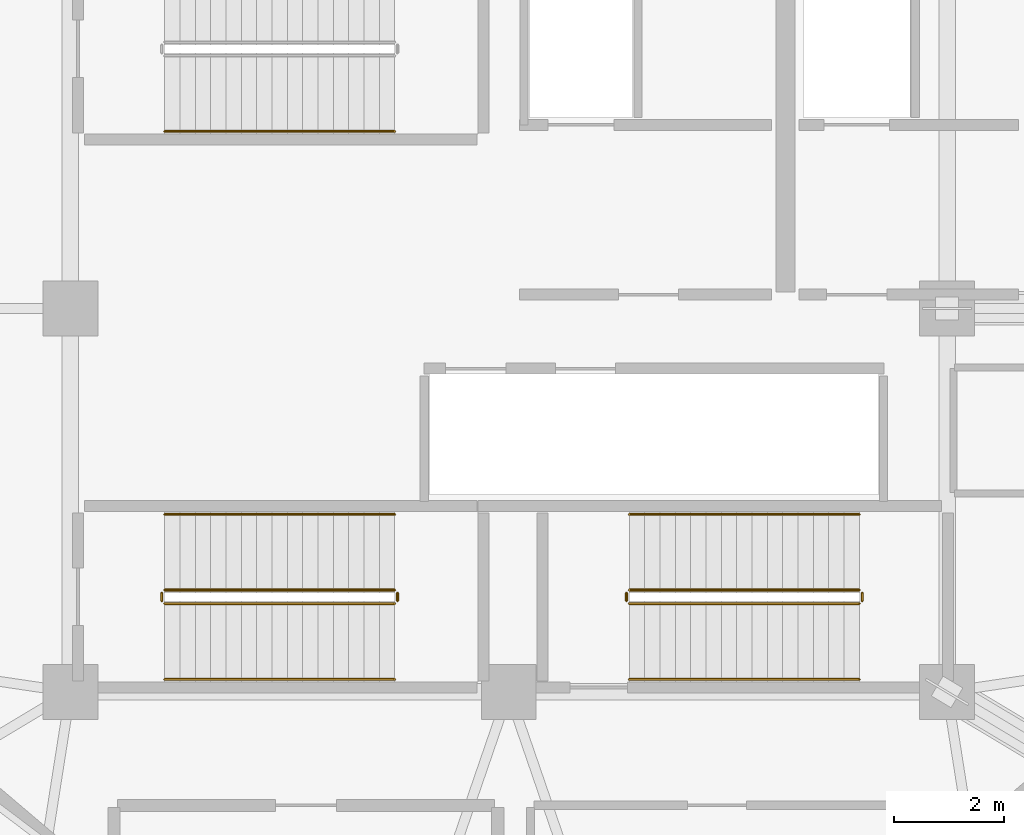
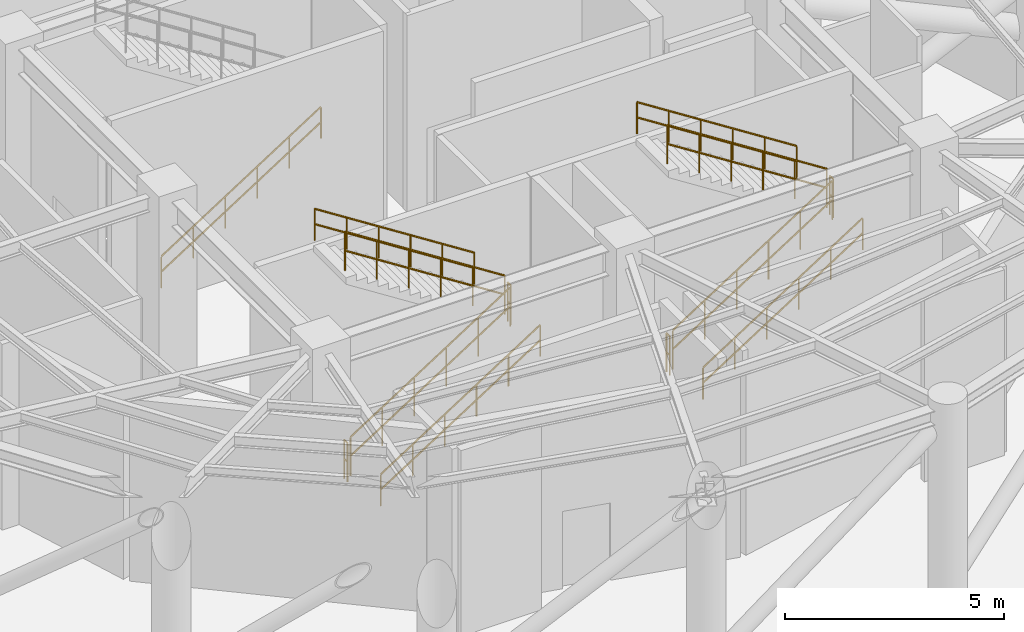
# One storey, part 6 of 8: 13 railings.
"""IFC4 building model written with IfcOpenShell, lengths in metres."""

from ifc_helpers import new_model, si_unit, direction, frame, origin, place, context, subcontext, project, spatial, polyline, outline, extrude, material, type_object, element, save


model = new_model("IFC4")

# Units and contexts
model_context = context("Model", 3, precision=1e-05, world=origin(), true_north=direction((0.0, 1.0)))
body_context = subcontext(model_context, "Body", "Model", "MODEL_VIEW")
ifc_project = project(units=[si_unit("LENGTHUNIT", "METRE"), si_unit("AREAUNIT", "SQUARE_METRE"), si_unit("VOLUMEUNIT", "CUBIC_METRE"), si_unit("PLANEANGLEUNIT", "RADIAN"), si_unit("MASSUNIT", "GRAM", prefix="KILO")], contexts=[model_context])

# Site, building, storey
site_placement = place(None, origin())
site = spatial("IfcSite", under=ifc_project, at=site_placement, CompositionType="ELEMENT")
building_placement = place(site_placement, origin())
building = spatial("IfcBuilding", under=site, at=building_placement, Name="Kelanora Arch Commons", CompositionType="ELEMENT")
storey_placement = place(building_placement, frame((0.0, 0.0, 242.9599609375)))
storey = spatial("IfcBuildingStorey", under=building, at=storey_placement, Name="L62", CompositionType="ELEMENT", Elevation=242.9599609375)

# Railings
ifc_material_1 = material(Name="Painted steel stair well guard", Category="steel")
railing_type_1 = type_object("IfcRailingType", Name="RAIL-STAIR-GRD", PredefinedType="GUARDRAIL", material=ifc_material_1)
railing_1_placement = place(storey_placement, frame((76.199951171875, 52.610107421875, 0.179443359375)))
element("IfcRailing", 1, at=railing_1_placement, inside=storey, type_object=railing_type_1, Name="L62 ST-T2 stair guard 1", PredefinedType="GUARDRAIL", context=body_context, shape_type="SweptSolid", body=[
    extrude(outline(polyline([(0.02392578125, 0.0), (0.011962890625, 0.020751953125), (-0.011962890625, 0.020751953125), (-0.02392578125, 0.0), (-0.011962890625, -0.020751953125), (0.011962890625, -0.020751953125), (0.02392578125, 0.0)])), frame((0.0, 0.0, 1.076171875), z_axis=(0.842025080683, 0.0, 0.539438377853), x_axis=(0.0, 1.0, 0.0)), (0.0, 0.0, 1.0), 4.988037109375),
    extrude(outline(polyline([(0.02392578125, 0.0), (0.011962890625, 0.020751953125), (-0.011962890625, 0.020751953125), (-0.02392578125, 0.0), (-0.011962890625, -0.020751953125), (0.011962890625, -0.020751953125), (0.02392578125, 0.0)])), frame((0.0, 0.0, 0.550048828125), z_axis=(0.842025080683, 0.0, 0.539438377853), x_axis=(0.0, 1.0, 0.0)), (0.0, 0.0, 1.0), 4.988037109375),
    extrude(outline(polyline([(0.02099609375, 0.0), (0.010498046875, 0.01806640625), (-0.010498046875, 0.01806640625), (-0.02099609375, 0.0), (-0.010498046875, -0.01806640625), (0.010498046875, -0.01806640625), (0.02099609375, 0.0)])), origin(), (0.0, 0.0, 1.0), 1.052001953125),
    extrude(outline(polyline([(0.02099609375, 0.0), (0.010498046875, 0.01806640625), (-0.010498046875, 0.01806640625), (-0.02099609375, 0.0), (-0.010498046875, -0.01806640625), (0.010498046875, -0.01806640625), (0.02099609375, 0.0)])), frame((0.840087890625, 0.0, 0.5380859375)), (0.0, 0.0, 1.0), 1.052001953125),
    extrude(outline(polyline([(0.02099609375, 0.0), (0.010498046875, 0.01806640625), (-0.010498046875, 0.01806640625), (-0.02099609375, 0.0), (-0.010498046875, -0.01806640625), (0.010498046875, -0.01806640625), (0.02099609375, 0.0)])), frame((1.679931640625, 0.0, 1.076171875)), (0.0, 0.0, 1.0), 1.052001953125),
    extrude(outline(polyline([(0.02099609375, 0.0), (0.010498046875, 0.01806640625), (-0.010498046875, 0.01806640625), (-0.02099609375, 0.0), (-0.010498046875, -0.01806640625), (0.010498046875, -0.01806640625), (0.02099609375, 0.0)])), frame((2.52001953125, 0.0, 1.614501953125)), (0.0, 0.0, 1.0), 1.052001953125),
    extrude(outline(polyline([(0.02099609375, 0.0), (0.010498046875, 0.01806640625), (-0.010498046875, 0.01806640625), (-0.02099609375, 0.0), (-0.010498046875, -0.01806640625), (0.010498046875, -0.01806640625), (0.02099609375, 0.0)])), frame((3.35986328125, 0.0, 2.152587890625)), (0.0, 0.0, 1.0), 1.052001953125),
    extrude(outline(polyline([(0.02099609375, 0.0), (0.010498046875, 0.01806640625), (-0.010498046875, 0.01806640625), (-0.02099609375, 0.0), (-0.010498046875, -0.01806640625), (0.010498046875, -0.01806640625), (0.02099609375, 0.0)])), frame((4.199951171875, 0.0, 2.690673828125)), (0.0, 0.0, 1.0), 1.052001953125),
])
railing_2_placement = place(storey_placement, frame((80.449951171875, 52.659912109375, 2.8701171875)))
element("IfcRailing", 2, at=railing_2_placement, inside=storey, type_object=railing_type_1, Name="L62 ST-T2 stair guard 2", PredefinedType="GUARDRAIL", context=body_context, shape_type="SweptSolid", body=[
    extrude(outline(polyline([(0.02392578125, 0.0), (0.011962890625, 0.020751953125), (-0.011962890625, 0.020751953125), (-0.02392578125, 0.0), (-0.011962890625, -0.020751953125), (0.011962890625, -0.020751953125), (0.02392578125, 0.0)])), frame((0.0, 0.0, 1.076171875), z_axis=(0.0, 1.0, 0.0), x_axis=(-1.0, 0.0, 0.0)), (0.0, 0.0, 1.0), 0.150146484375),
    extrude(outline(polyline([(0.02392578125, 0.0), (0.011962890625, 0.020751953125), (-0.011962890625, 0.020751953125), (-0.02392578125, 0.0), (-0.011962890625, -0.020751953125), (0.011962890625, -0.020751953125), (0.02392578125, 0.0)])), frame((0.0, 0.0, 0.550048828125), z_axis=(0.0, 1.0, 0.0), x_axis=(-1.0, 0.0, 0.0)), (0.0, 0.0, 1.0), 0.150146484375),
    extrude(outline(polyline([(0.02099609375, 0.0), (0.010498046875, 0.01806640625), (-0.010498046875, 0.01806640625), (-0.02099609375, 0.0), (-0.010498046875, -0.01806640625), (0.010498046875, -0.01806640625), (0.02099609375, 0.0)])), origin(), (0.0, 0.0, 1.0), 1.052001953125),
    extrude(outline(polyline([(0.02099609375, 0.0), (0.010498046875, 0.01806640625), (-0.010498046875, 0.01806640625), (-0.02099609375, 0.0), (-0.010498046875, -0.01806640625), (0.010498046875, -0.01806640625), (0.02099609375, 0.0)])), frame((0.0, 0.150146484375, 0.0)), (0.0, 0.0, 1.0), 1.052001953125),
])
railing_3_placement = place(storey_placement, frame((80.39990234375, 52.860107421875, 3.04931640625)))
element("IfcRailing", 3, at=railing_3_placement, inside=storey, type_object=railing_type_1, Name="L62 ST-T2 stair guard 3", PredefinedType="GUARDRAIL", context=body_context, shape_type="SweptSolid", body=[
    extrude(outline(polyline([(0.02392578125, 0.0), (0.011962890625, 0.020751953125), (-0.011962890625, 0.020751953125), (-0.02392578125, 0.0), (-0.011962890625, -0.020751953125), (0.011962890625, -0.020751953125), (0.02392578125, 0.0)])), frame((0.0, 0.0, 1.076171875), z_axis=(-0.842025080683, 0.0, 0.539438377853), x_axis=(0.0, -1.0, 0.0)), (0.0, 0.0, 1.0), 4.988037109375),
    extrude(outline(polyline([(0.02392578125, 0.0), (0.011962890625, 0.020751953125), (-0.011962890625, 0.020751953125), (-0.02392578125, 0.0), (-0.011962890625, -0.020751953125), (0.011962890625, -0.020751953125), (0.02392578125, 0.0)])), frame((0.0, 0.0, 0.550048828125), z_axis=(-0.842025080683, 0.0, 0.539438377853), x_axis=(0.0, -1.0, 0.0)), (0.0, 0.0, 1.0), 4.988037109375),
    extrude(outline(polyline([(0.02099609375, 0.0), (0.010498046875, 0.01806640625), (-0.010498046875, 0.01806640625), (-0.02099609375, 0.0), (-0.010498046875, -0.01806640625), (0.010498046875, -0.01806640625), (0.02099609375, 0.0)])), origin(), (0.0, 0.0, 1.0), 1.052001953125),
    extrude(outline(polyline([(0.02099609375, 0.0), (0.010498046875, 0.01806640625), (-0.010498046875, 0.01806640625), (-0.02099609375, 0.0), (-0.010498046875, -0.01806640625), (0.010498046875, -0.01806640625), (0.02099609375, 0.0)])), frame((-0.840087890625, 0.0, 0.5380859375)), (0.0, 0.0, 1.0), 1.052001953125),
    extrude(outline(polyline([(0.02099609375, 0.0), (0.010498046875, 0.01806640625), (-0.010498046875, 0.01806640625), (-0.02099609375, 0.0), (-0.010498046875, -0.01806640625), (0.010498046875, -0.01806640625), (0.02099609375, 0.0)])), frame((-1.679931640625, 0.0, 1.076171875)), (0.0, 0.0, 1.0), 1.052001953125),
    extrude(outline(polyline([(0.02099609375, 0.0), (0.010498046875, 0.01806640625), (-0.010498046875, 0.01806640625), (-0.02099609375, 0.0), (-0.010498046875, -0.01806640625), (0.010498046875, -0.01806640625), (0.02099609375, 0.0)])), frame((-2.52001953125, 0.0, 1.614501953125)), (0.0, 0.0, 1.0), 1.052001953125),
    extrude(outline(polyline([(0.02099609375, 0.0), (0.010498046875, 0.01806640625), (-0.010498046875, 0.01806640625), (-0.02099609375, 0.0), (-0.010498046875, -0.01806640625), (0.010498046875, -0.01806640625), (0.02099609375, 0.0)])), frame((-3.35986328125, 0.0, 2.152587890625)), (0.0, 0.0, 1.0), 1.052001953125),
    extrude(outline(polyline([(0.02099609375, 0.0), (0.010498046875, 0.01806640625), (-0.010498046875, 0.01806640625), (-0.02099609375, 0.0), (-0.010498046875, -0.01806640625), (0.010498046875, -0.01806640625), (0.02099609375, 0.0)])), frame((-4.199951171875, 0.0, 2.690673828125)), (0.0, 0.0, 1.0), 1.052001953125),
])
railing_4_placement = place(storey_placement, frame((76.14990234375, 52.659912109375, 0.0)))
element("IfcRailing", 4, at=railing_4_placement, inside=storey, type_object=railing_type_1, Name="L62 ST-T2 stair guard 4", PredefinedType="GUARDRAIL", context=body_context, shape_type="SweptSolid", body=[
    extrude(outline(polyline([(0.02392578125, 0.0), (0.011962890625, 0.020751953125), (-0.011962890625, 0.020751953125), (-0.02392578125, 0.0), (-0.011962890625, -0.020751953125), (0.011962890625, -0.020751953125), (0.02392578125, 0.0)])), frame((0.0, 0.0, 1.076171875), z_axis=(0.0, 1.0, 0.0), x_axis=(-1.0, 0.0, 0.0)), (0.0, 0.0, 1.0), 0.150146484375),
    extrude(outline(polyline([(0.02392578125, 0.0), (0.011962890625, 0.020751953125), (-0.011962890625, 0.020751953125), (-0.02392578125, 0.0), (-0.011962890625, -0.020751953125), (0.011962890625, -0.020751953125), (0.02392578125, 0.0)])), frame((0.0, 0.0, 0.550048828125), z_axis=(0.0, 1.0, 0.0), x_axis=(-1.0, 0.0, 0.0)), (0.0, 0.0, 1.0), 0.150146484375),
    extrude(outline(polyline([(0.02099609375, 0.0), (0.010498046875, 0.01806640625), (-0.010498046875, 0.01806640625), (-0.02099609375, 0.0), (-0.010498046875, -0.01806640625), (0.010498046875, -0.01806640625), (0.02099609375, 0.0)])), origin(), (0.0, 0.0, 1.0), 1.052001953125),
    extrude(outline(polyline([(0.02099609375, 0.0), (0.010498046875, 0.01806640625), (-0.010498046875, 0.01806640625), (-0.02099609375, 0.0), (-0.010498046875, -0.01806640625), (0.010498046875, -0.01806640625), (0.02099609375, 0.0)])), frame((0.0, 0.150146484375, 0.0)), (0.0, 0.0, 1.0), 1.052001953125),
])
railing_5_placement = place(storey_placement, frame((67.719970703125, 52.610107421875, 0.179443359375)))
element("IfcRailing", 5, at=railing_5_placement, inside=storey, type_object=railing_type_1, Name="L62 ST-T3 stair guard 1", PredefinedType="GUARDRAIL", context=body_context, shape_type="SweptSolid", body=[
    extrude(outline(polyline([(0.02392578125, 0.0), (0.011962890625, 0.020751953125), (-0.011962890625, 0.020751953125), (-0.02392578125, 0.0), (-0.011962890625, -0.020751953125), (0.011962890625, -0.020751953125), (0.02392578125, 0.0)])), frame((0.0, 0.0, 1.076171875), z_axis=(0.842025080683, 0.0, 0.539438377853), x_axis=(0.0, 1.0, 0.0)), (0.0, 0.0, 1.0), 4.988037109375),
    extrude(outline(polyline([(0.02392578125, 0.0), (0.011962890625, 0.020751953125), (-0.011962890625, 0.020751953125), (-0.02392578125, 0.0), (-0.011962890625, -0.020751953125), (0.011962890625, -0.020751953125), (0.02392578125, 0.0)])), frame((0.0, 0.0, 0.550048828125), z_axis=(0.842025080683, 0.0, 0.539438377853), x_axis=(0.0, 1.0, 0.0)), (0.0, 0.0, 1.0), 4.988037109375),
    extrude(outline(polyline([(0.02099609375, 0.0), (0.010498046875, 0.01806640625), (-0.010498046875, 0.01806640625), (-0.02099609375, 0.0), (-0.010498046875, -0.01806640625), (0.010498046875, -0.01806640625), (0.02099609375, 0.0)])), origin(), (0.0, 0.0, 1.0), 1.052001953125),
    extrude(outline(polyline([(0.02099609375, 0.0), (0.010498046875, 0.01806640625), (-0.010498046875, 0.01806640625), (-0.02099609375, 0.0), (-0.010498046875, -0.01806640625), (0.010498046875, -0.01806640625), (0.02099609375, 0.0)])), frame((0.840087890625, 0.0, 0.5380859375)), (0.0, 0.0, 1.0), 1.052001953125),
    extrude(outline(polyline([(0.02099609375, 0.0), (0.010498046875, 0.01806640625), (-0.010498046875, 0.01806640625), (-0.02099609375, 0.0), (-0.010498046875, -0.01806640625), (0.010498046875, -0.01806640625), (0.02099609375, 0.0)])), frame((1.679931640625, 0.0, 1.076171875)), (0.0, 0.0, 1.0), 1.052001953125),
    extrude(outline(polyline([(0.02099609375, 0.0), (0.010498046875, 0.01806640625), (-0.010498046875, 0.01806640625), (-0.02099609375, 0.0), (-0.010498046875, -0.01806640625), (0.010498046875, -0.01806640625), (0.02099609375, 0.0)])), frame((2.52001953125, 0.0, 1.614501953125)), (0.0, 0.0, 1.0), 1.052001953125),
    extrude(outline(polyline([(0.02099609375, 0.0), (0.010498046875, 0.01806640625), (-0.010498046875, 0.01806640625), (-0.02099609375, 0.0), (-0.010498046875, -0.01806640625), (0.010498046875, -0.01806640625), (0.02099609375, 0.0)])), frame((3.35986328125, 0.0, 2.152587890625)), (0.0, 0.0, 1.0), 1.052001953125),
    extrude(outline(polyline([(0.02099609375, 0.0), (0.010498046875, 0.01806640625), (-0.010498046875, 0.01806640625), (-0.02099609375, 0.0), (-0.010498046875, -0.01806640625), (0.010498046875, -0.01806640625), (0.02099609375, 0.0)])), frame((4.199951171875, 0.0, 2.690673828125)), (0.0, 0.0, 1.0), 1.052001953125),
])
railing_6_placement = place(storey_placement, frame((71.969970703125, 52.659912109375, 2.8701171875)))
element("IfcRailing", 6, at=railing_6_placement, inside=storey, type_object=railing_type_1, Name="L62 ST-T3 stair guard 2", PredefinedType="GUARDRAIL", context=body_context, shape_type="SweptSolid", body=[
    extrude(outline(polyline([(0.02392578125, 0.0), (0.011962890625, 0.020751953125), (-0.011962890625, 0.020751953125), (-0.02392578125, 0.0), (-0.011962890625, -0.020751953125), (0.011962890625, -0.020751953125), (0.02392578125, 0.0)])), frame((0.0, 0.0, 1.076171875), z_axis=(0.0, 1.0, 0.0), x_axis=(-1.0, 0.0, 0.0)), (0.0, 0.0, 1.0), 0.150146484375),
    extrude(outline(polyline([(0.02392578125, 0.0), (0.011962890625, 0.020751953125), (-0.011962890625, 0.020751953125), (-0.02392578125, 0.0), (-0.011962890625, -0.020751953125), (0.011962890625, -0.020751953125), (0.02392578125, 0.0)])), frame((0.0, 0.0, 0.550048828125), z_axis=(0.0, 1.0, 0.0), x_axis=(-1.0, 0.0, 0.0)), (0.0, 0.0, 1.0), 0.150146484375),
    extrude(outline(polyline([(0.02099609375, 0.0), (0.010498046875, 0.01806640625), (-0.010498046875, 0.01806640625), (-0.02099609375, 0.0), (-0.010498046875, -0.01806640625), (0.010498046875, -0.01806640625), (0.02099609375, 0.0)])), origin(), (0.0, 0.0, 1.0), 1.052001953125),
    extrude(outline(polyline([(0.02099609375, 0.0), (0.010498046875, 0.01806640625), (-0.010498046875, 0.01806640625), (-0.02099609375, 0.0), (-0.010498046875, -0.01806640625), (0.010498046875, -0.01806640625), (0.02099609375, 0.0)])), frame((0.0, 0.150146484375, 0.0)), (0.0, 0.0, 1.0), 1.052001953125),
])
railing_7_placement = place(storey_placement, frame((71.919921875, 52.860107421875, 3.04931640625)))
element("IfcRailing", 7, at=railing_7_placement, inside=storey, type_object=railing_type_1, Name="L62 ST-T3 stair guard 3", PredefinedType="GUARDRAIL", context=body_context, shape_type="SweptSolid", body=[
    extrude(outline(polyline([(0.02392578125, 0.0), (0.011962890625, 0.020751953125), (-0.011962890625, 0.020751953125), (-0.02392578125, 0.0), (-0.011962890625, -0.020751953125), (0.011962890625, -0.020751953125), (0.02392578125, 0.0)])), frame((0.0, 0.0, 1.076171875), z_axis=(-0.842025080683, 0.0, 0.539438377853), x_axis=(0.0, -1.0, 0.0)), (0.0, 0.0, 1.0), 4.988037109375),
    extrude(outline(polyline([(0.02392578125, 0.0), (0.011962890625, 0.020751953125), (-0.011962890625, 0.020751953125), (-0.02392578125, 0.0), (-0.011962890625, -0.020751953125), (0.011962890625, -0.020751953125), (0.02392578125, 0.0)])), frame((0.0, 0.0, 0.550048828125), z_axis=(-0.842025080683, 0.0, 0.539438377853), x_axis=(0.0, -1.0, 0.0)), (0.0, 0.0, 1.0), 4.988037109375),
    extrude(outline(polyline([(0.02099609375, 0.0), (0.010498046875, 0.01806640625), (-0.010498046875, 0.01806640625), (-0.02099609375, 0.0), (-0.010498046875, -0.01806640625), (0.010498046875, -0.01806640625), (0.02099609375, 0.0)])), origin(), (0.0, 0.0, 1.0), 1.052001953125),
    extrude(outline(polyline([(0.02099609375, 0.0), (0.010498046875, 0.01806640625), (-0.010498046875, 0.01806640625), (-0.02099609375, 0.0), (-0.010498046875, -0.01806640625), (0.010498046875, -0.01806640625), (0.02099609375, 0.0)])), frame((-0.840087890625, 0.0, 0.5380859375)), (0.0, 0.0, 1.0), 1.052001953125),
    extrude(outline(polyline([(0.02099609375, 0.0), (0.010498046875, 0.01806640625), (-0.010498046875, 0.01806640625), (-0.02099609375, 0.0), (-0.010498046875, -0.01806640625), (0.010498046875, -0.01806640625), (0.02099609375, 0.0)])), frame((-1.679931640625, 0.0, 1.076171875)), (0.0, 0.0, 1.0), 1.052001953125),
    extrude(outline(polyline([(0.02099609375, 0.0), (0.010498046875, 0.01806640625), (-0.010498046875, 0.01806640625), (-0.02099609375, 0.0), (-0.010498046875, -0.01806640625), (0.010498046875, -0.01806640625), (0.02099609375, 0.0)])), frame((-2.52001953125, 0.0, 1.614501953125)), (0.0, 0.0, 1.0), 1.052001953125),
    extrude(outline(polyline([(0.02099609375, 0.0), (0.010498046875, 0.01806640625), (-0.010498046875, 0.01806640625), (-0.02099609375, 0.0), (-0.010498046875, -0.01806640625), (0.010498046875, -0.01806640625), (0.02099609375, 0.0)])), frame((-3.35986328125, 0.0, 2.152587890625)), (0.0, 0.0, 1.0), 1.052001953125),
    extrude(outline(polyline([(0.02099609375, 0.0), (0.010498046875, 0.01806640625), (-0.010498046875, 0.01806640625), (-0.02099609375, 0.0), (-0.010498046875, -0.01806640625), (0.010498046875, -0.01806640625), (0.02099609375, 0.0)])), frame((-4.199951171875, 0.0, 2.690673828125)), (0.0, 0.0, 1.0), 1.052001953125),
])
railing_8_placement = place(storey_placement, frame((67.669921875, 52.659912109375, 0.0)))
element("IfcRailing", 8, at=railing_8_placement, inside=storey, type_object=railing_type_1, Name="L62 ST-T3 stair guard 4", PredefinedType="GUARDRAIL", context=body_context, shape_type="SweptSolid", body=[
    extrude(outline(polyline([(0.02392578125, 0.0), (0.011962890625, 0.020751953125), (-0.011962890625, 0.020751953125), (-0.02392578125, 0.0), (-0.011962890625, -0.020751953125), (0.011962890625, -0.020751953125), (0.02392578125, 0.0)])), frame((0.0, 0.0, 1.076171875), z_axis=(0.0, 1.0, 0.0), x_axis=(-1.0, 0.0, 0.0)), (0.0, 0.0, 1.0), 0.150146484375),
    extrude(outline(polyline([(0.02392578125, 0.0), (0.011962890625, 0.020751953125), (-0.011962890625, 0.020751953125), (-0.02392578125, 0.0), (-0.011962890625, -0.020751953125), (0.011962890625, -0.020751953125), (0.02392578125, 0.0)])), frame((0.0, 0.0, 0.550048828125), z_axis=(0.0, 1.0, 0.0), x_axis=(-1.0, 0.0, 0.0)), (0.0, 0.0, 1.0), 0.150146484375),
    extrude(outline(polyline([(0.02099609375, 0.0), (0.010498046875, 0.01806640625), (-0.010498046875, 0.01806640625), (-0.02099609375, 0.0), (-0.010498046875, -0.01806640625), (0.010498046875, -0.01806640625), (0.02099609375, 0.0)])), origin(), (0.0, 0.0, 1.0), 1.052001953125),
    extrude(outline(polyline([(0.02099609375, 0.0), (0.010498046875, 0.01806640625), (-0.010498046875, 0.01806640625), (-0.02099609375, 0.0), (-0.010498046875, -0.01806640625), (0.010498046875, -0.01806640625), (0.02099609375, 0.0)])), frame((0.0, 0.150146484375, 0.0)), (0.0, 0.0, 1.0), 1.052001953125),
])
ifc_material_2 = material(Name="Brushed stainless steel stair handrail", Category="steel")
railing_type_2 = type_object("IfcRailingType", Name="RAIL-STAIR-HND", PredefinedType="HANDRAIL", material=ifc_material_2)
railing_9_placement = place(storey_placement, frame((67.719970703125, 61.22998046875, 0.179443359375)))
element("IfcRailing", 9, at=railing_9_placement, inside=storey, type_object=railing_type_2, Name="L62 ST-T1 stair handrail 1", PredefinedType="HANDRAIL", context=body_context, shape_type="SweptSolid", body=[
    extrude(outline(polyline([(0.02392578125, 0.0), (0.011962890625, 0.020751953125), (-0.011962890625, 0.020751953125), (-0.02392578125, 0.0), (-0.011962890625, -0.020751953125), (0.011962890625, -0.020751953125), (0.02392578125, 0.0)])), frame((0.0, 0.0, 0.8759765625), z_axis=(0.842025080683, 0.0, 0.539438377853), x_axis=(0.0, 1.0, 0.0)), (0.0, 0.0, 1.0), 4.988037109375),
    extrude(outline(polyline([(0.02392578125, 0.0), (0.011962890625, 0.020751953125), (-0.011962890625, 0.020751953125), (-0.02392578125, 0.0), (-0.011962890625, -0.020751953125), (0.011962890625, -0.020751953125), (0.02392578125, 0.0)])), frame((0.0, 0.0, 0.449951171875), z_axis=(0.842025080683, 0.0, 0.539438377853), x_axis=(0.0, 1.0, 0.0)), (0.0, 0.0, 1.0), 4.988037109375),
    extrude(outline(polyline([(0.02099609375, 0.0), (0.010498046875, 0.01806640625), (-0.010498046875, 0.01806640625), (-0.02099609375, 0.0), (-0.010498046875, -0.01806640625), (0.010498046875, -0.01806640625), (0.02099609375, 0.0)])), origin(), (0.0, 0.0, 1.0), 0.851806640625),
    extrude(outline(polyline([(0.02099609375, 0.0), (0.010498046875, 0.01806640625), (-0.010498046875, 0.01806640625), (-0.02099609375, 0.0), (-0.010498046875, -0.01806640625), (0.010498046875, -0.01806640625), (0.02099609375, 0.0)])), frame((0.840087890625, 0.0, 0.5380859375)), (0.0, 0.0, 1.0), 0.851806640625),
    extrude(outline(polyline([(0.02099609375, 0.0), (0.010498046875, 0.01806640625), (-0.010498046875, 0.01806640625), (-0.02099609375, 0.0), (-0.010498046875, -0.01806640625), (0.010498046875, -0.01806640625), (0.02099609375, 0.0)])), frame((1.679931640625, 0.0, 1.076171875)), (0.0, 0.0, 1.0), 0.851806640625),
    extrude(outline(polyline([(0.02099609375, 0.0), (0.010498046875, 0.01806640625), (-0.010498046875, 0.01806640625), (-0.02099609375, 0.0), (-0.010498046875, -0.01806640625), (0.010498046875, -0.01806640625), (0.02099609375, 0.0)])), frame((2.52001953125, 0.0, 1.614501953125)), (0.0, 0.0, 1.0), 0.851806640625),
    extrude(outline(polyline([(0.02099609375, 0.0), (0.010498046875, 0.01806640625), (-0.010498046875, 0.01806640625), (-0.02099609375, 0.0), (-0.010498046875, -0.01806640625), (0.010498046875, -0.01806640625), (0.02099609375, 0.0)])), frame((3.35986328125, 0.0, 2.152587890625)), (0.0, 0.0, 1.0), 0.851806640625),
    extrude(outline(polyline([(0.02099609375, 0.0), (0.010498046875, 0.01806640625), (-0.010498046875, 0.01806640625), (-0.02099609375, 0.0), (-0.010498046875, -0.01806640625), (0.010498046875, -0.01806640625), (0.02099609375, 0.0)])), frame((4.199951171875, 0.0, 2.690673828125)), (0.0, 0.0, 1.0), 0.851806640625),
])
railing_10_placement = place(storey_placement, frame((76.199951171875, 51.22998046875, 0.179443359375)))
element("IfcRailing", 10, at=railing_10_placement, inside=storey, type_object=railing_type_2, Name="L62 ST-T2 stair handrail 1", PredefinedType="HANDRAIL", context=body_context, shape_type="SweptSolid", body=[
    extrude(outline(polyline([(0.02392578125, 0.0), (0.011962890625, 0.020751953125), (-0.011962890625, 0.020751953125), (-0.02392578125, 0.0), (-0.011962890625, -0.020751953125), (0.011962890625, -0.020751953125), (0.02392578125, 0.0)])), frame((0.0, 0.0, 0.8759765625), z_axis=(0.842025080683, 0.0, 0.539438377853), x_axis=(0.0, 1.0, 0.0)), (0.0, 0.0, 1.0), 4.988037109375),
    extrude(outline(polyline([(0.02392578125, 0.0), (0.011962890625, 0.020751953125), (-0.011962890625, 0.020751953125), (-0.02392578125, 0.0), (-0.011962890625, -0.020751953125), (0.011962890625, -0.020751953125), (0.02392578125, 0.0)])), frame((0.0, 0.0, 0.449951171875), z_axis=(0.842025080683, 0.0, 0.539438377853), x_axis=(0.0, 1.0, 0.0)), (0.0, 0.0, 1.0), 4.988037109375),
    extrude(outline(polyline([(0.02099609375, 0.0), (0.010498046875, 0.01806640625), (-0.010498046875, 0.01806640625), (-0.02099609375, 0.0), (-0.010498046875, -0.01806640625), (0.010498046875, -0.01806640625), (0.02099609375, 0.0)])), origin(), (0.0, 0.0, 1.0), 0.851806640625),
    extrude(outline(polyline([(0.02099609375, 0.0), (0.010498046875, 0.01806640625), (-0.010498046875, 0.01806640625), (-0.02099609375, 0.0), (-0.010498046875, -0.01806640625), (0.010498046875, -0.01806640625), (0.02099609375, 0.0)])), frame((0.840087890625, 0.0, 0.5380859375)), (0.0, 0.0, 1.0), 0.851806640625),
    extrude(outline(polyline([(0.02099609375, 0.0), (0.010498046875, 0.01806640625), (-0.010498046875, 0.01806640625), (-0.02099609375, 0.0), (-0.010498046875, -0.01806640625), (0.010498046875, -0.01806640625), (0.02099609375, 0.0)])), frame((1.679931640625, 0.0, 1.076171875)), (0.0, 0.0, 1.0), 0.851806640625),
    extrude(outline(polyline([(0.02099609375, 0.0), (0.010498046875, 0.01806640625), (-0.010498046875, 0.01806640625), (-0.02099609375, 0.0), (-0.010498046875, -0.01806640625), (0.010498046875, -0.01806640625), (0.02099609375, 0.0)])), frame((2.52001953125, 0.0, 1.614501953125)), (0.0, 0.0, 1.0), 0.851806640625),
    extrude(outline(polyline([(0.02099609375, 0.0), (0.010498046875, 0.01806640625), (-0.010498046875, 0.01806640625), (-0.02099609375, 0.0), (-0.010498046875, -0.01806640625), (0.010498046875, -0.01806640625), (0.02099609375, 0.0)])), frame((3.35986328125, 0.0, 2.152587890625)), (0.0, 0.0, 1.0), 0.851806640625),
    extrude(outline(polyline([(0.02099609375, 0.0), (0.010498046875, 0.01806640625), (-0.010498046875, 0.01806640625), (-0.02099609375, 0.0), (-0.010498046875, -0.01806640625), (0.010498046875, -0.01806640625), (0.02099609375, 0.0)])), frame((4.199951171875, 0.0, 2.690673828125)), (0.0, 0.0, 1.0), 0.851806640625),
])
railing_11_placement = place(storey_placement, frame((80.39990234375, 54.239990234375, 3.04931640625)))
element("IfcRailing", 11, at=railing_11_placement, inside=storey, type_object=railing_type_2, Name="L62 ST-T2 stair handrail 2", PredefinedType="HANDRAIL", context=body_context, shape_type="SweptSolid", body=[
    extrude(outline(polyline([(0.02392578125, 0.0), (0.011962890625, 0.020751953125), (-0.011962890625, 0.020751953125), (-0.02392578125, 0.0), (-0.011962890625, -0.020751953125), (0.011962890625, -0.020751953125), (0.02392578125, 0.0)])), frame((0.0, 0.0, 0.8759765625), z_axis=(-0.842025080683, 0.0, 0.539438377853), x_axis=(0.0, -1.0, 0.0)), (0.0, 0.0, 1.0), 4.988037109375),
    extrude(outline(polyline([(0.02392578125, 0.0), (0.011962890625, 0.020751953125), (-0.011962890625, 0.020751953125), (-0.02392578125, 0.0), (-0.011962890625, -0.020751953125), (0.011962890625, -0.020751953125), (0.02392578125, 0.0)])), frame((0.0, 0.0, 0.449951171875), z_axis=(-0.842025080683, 0.0, 0.539438377853), x_axis=(0.0, -1.0, 0.0)), (0.0, 0.0, 1.0), 4.988037109375),
    extrude(outline(polyline([(0.02099609375, 0.0), (0.010498046875, 0.01806640625), (-0.010498046875, 0.01806640625), (-0.02099609375, 0.0), (-0.010498046875, -0.01806640625), (0.010498046875, -0.01806640625), (0.02099609375, 0.0)])), origin(), (0.0, 0.0, 1.0), 0.851806640625),
    extrude(outline(polyline([(0.02099609375, 0.0), (0.010498046875, 0.01806640625), (-0.010498046875, 0.01806640625), (-0.02099609375, 0.0), (-0.010498046875, -0.01806640625), (0.010498046875, -0.01806640625), (0.02099609375, 0.0)])), frame((-0.840087890625, 0.0, 0.5380859375)), (0.0, 0.0, 1.0), 0.851806640625),
    extrude(outline(polyline([(0.02099609375, 0.0), (0.010498046875, 0.01806640625), (-0.010498046875, 0.01806640625), (-0.02099609375, 0.0), (-0.010498046875, -0.01806640625), (0.010498046875, -0.01806640625), (0.02099609375, 0.0)])), frame((-1.679931640625, 0.0, 1.076171875)), (0.0, 0.0, 1.0), 0.851806640625),
    extrude(outline(polyline([(0.02099609375, 0.0), (0.010498046875, 0.01806640625), (-0.010498046875, 0.01806640625), (-0.02099609375, 0.0), (-0.010498046875, -0.01806640625), (0.010498046875, -0.01806640625), (0.02099609375, 0.0)])), frame((-2.52001953125, 0.0, 1.614501953125)), (0.0, 0.0, 1.0), 0.851806640625),
    extrude(outline(polyline([(0.02099609375, 0.0), (0.010498046875, 0.01806640625), (-0.010498046875, 0.01806640625), (-0.02099609375, 0.0), (-0.010498046875, -0.01806640625), (0.010498046875, -0.01806640625), (0.02099609375, 0.0)])), frame((-3.35986328125, 0.0, 2.152587890625)), (0.0, 0.0, 1.0), 0.851806640625),
    extrude(outline(polyline([(0.02099609375, 0.0), (0.010498046875, 0.01806640625), (-0.010498046875, 0.01806640625), (-0.02099609375, 0.0), (-0.010498046875, -0.01806640625), (0.010498046875, -0.01806640625), (0.02099609375, 0.0)])), frame((-4.199951171875, 0.0, 2.690673828125)), (0.0, 0.0, 1.0), 0.851806640625),
])
railing_12_placement = place(storey_placement, frame((67.719970703125, 51.22998046875, 0.179443359375)))
element("IfcRailing", 12, at=railing_12_placement, inside=storey, type_object=railing_type_2, Name="L62 ST-T3 stair handrail 1", PredefinedType="HANDRAIL", context=body_context, shape_type="SweptSolid", body=[
    extrude(outline(polyline([(0.02392578125, 0.0), (0.011962890625, 0.020751953125), (-0.011962890625, 0.020751953125), (-0.02392578125, 0.0), (-0.011962890625, -0.020751953125), (0.011962890625, -0.020751953125), (0.02392578125, 0.0)])), frame((0.0, 0.0, 0.8759765625), z_axis=(0.842025080683, 0.0, 0.539438377853), x_axis=(0.0, 1.0, 0.0)), (0.0, 0.0, 1.0), 4.988037109375),
    extrude(outline(polyline([(0.02392578125, 0.0), (0.011962890625, 0.020751953125), (-0.011962890625, 0.020751953125), (-0.02392578125, 0.0), (-0.011962890625, -0.020751953125), (0.011962890625, -0.020751953125), (0.02392578125, 0.0)])), frame((0.0, 0.0, 0.449951171875), z_axis=(0.842025080683, 0.0, 0.539438377853), x_axis=(0.0, 1.0, 0.0)), (0.0, 0.0, 1.0), 4.988037109375),
    extrude(outline(polyline([(0.02099609375, 0.0), (0.010498046875, 0.01806640625), (-0.010498046875, 0.01806640625), (-0.02099609375, 0.0), (-0.010498046875, -0.01806640625), (0.010498046875, -0.01806640625), (0.02099609375, 0.0)])), origin(), (0.0, 0.0, 1.0), 0.851806640625),
    extrude(outline(polyline([(0.02099609375, 0.0), (0.010498046875, 0.01806640625), (-0.010498046875, 0.01806640625), (-0.02099609375, 0.0), (-0.010498046875, -0.01806640625), (0.010498046875, -0.01806640625), (0.02099609375, 0.0)])), frame((0.840087890625, 0.0, 0.5380859375)), (0.0, 0.0, 1.0), 0.851806640625),
    extrude(outline(polyline([(0.02099609375, 0.0), (0.010498046875, 0.01806640625), (-0.010498046875, 0.01806640625), (-0.02099609375, 0.0), (-0.010498046875, -0.01806640625), (0.010498046875, -0.01806640625), (0.02099609375, 0.0)])), frame((1.679931640625, 0.0, 1.076171875)), (0.0, 0.0, 1.0), 0.851806640625),
    extrude(outline(polyline([(0.02099609375, 0.0), (0.010498046875, 0.01806640625), (-0.010498046875, 0.01806640625), (-0.02099609375, 0.0), (-0.010498046875, -0.01806640625), (0.010498046875, -0.01806640625), (0.02099609375, 0.0)])), frame((2.52001953125, 0.0, 1.614501953125)), (0.0, 0.0, 1.0), 0.851806640625),
    extrude(outline(polyline([(0.02099609375, 0.0), (0.010498046875, 0.01806640625), (-0.010498046875, 0.01806640625), (-0.02099609375, 0.0), (-0.010498046875, -0.01806640625), (0.010498046875, -0.01806640625), (0.02099609375, 0.0)])), frame((3.35986328125, 0.0, 2.152587890625)), (0.0, 0.0, 1.0), 0.851806640625),
    extrude(outline(polyline([(0.02099609375, 0.0), (0.010498046875, 0.01806640625), (-0.010498046875, 0.01806640625), (-0.02099609375, 0.0), (-0.010498046875, -0.01806640625), (0.010498046875, -0.01806640625), (0.02099609375, 0.0)])), frame((4.199951171875, 0.0, 2.690673828125)), (0.0, 0.0, 1.0), 0.851806640625),
])
railing_13_placement = place(storey_placement, frame((71.919921875, 54.239990234375, 3.04931640625)))
element("IfcRailing", 13, at=railing_13_placement, inside=storey, type_object=railing_type_2, Name="L62 ST-T3 stair handrail 2", PredefinedType="HANDRAIL", context=body_context, shape_type="SweptSolid", body=[
    extrude(outline(polyline([(0.02392578125, 0.0), (0.011962890625, 0.020751953125), (-0.011962890625, 0.020751953125), (-0.02392578125, 0.0), (-0.011962890625, -0.020751953125), (0.011962890625, -0.020751953125), (0.02392578125, 0.0)])), frame((0.0, 0.0, 0.8759765625), z_axis=(-0.842025080683, 0.0, 0.539438377853), x_axis=(0.0, -1.0, 0.0)), (0.0, 0.0, 1.0), 4.988037109375),
    extrude(outline(polyline([(0.02392578125, 0.0), (0.011962890625, 0.020751953125), (-0.011962890625, 0.020751953125), (-0.02392578125, 0.0), (-0.011962890625, -0.020751953125), (0.011962890625, -0.020751953125), (0.02392578125, 0.0)])), frame((0.0, 0.0, 0.449951171875), z_axis=(-0.842025080683, 0.0, 0.539438377853), x_axis=(0.0, -1.0, 0.0)), (0.0, 0.0, 1.0), 4.988037109375),
    extrude(outline(polyline([(0.02099609375, 0.0), (0.010498046875, 0.01806640625), (-0.010498046875, 0.01806640625), (-0.02099609375, 0.0), (-0.010498046875, -0.01806640625), (0.010498046875, -0.01806640625), (0.02099609375, 0.0)])), origin(), (0.0, 0.0, 1.0), 0.851806640625),
    extrude(outline(polyline([(0.02099609375, 0.0), (0.010498046875, 0.01806640625), (-0.010498046875, 0.01806640625), (-0.02099609375, 0.0), (-0.010498046875, -0.01806640625), (0.010498046875, -0.01806640625), (0.02099609375, 0.0)])), frame((-0.840087890625, 0.0, 0.5380859375)), (0.0, 0.0, 1.0), 0.851806640625),
    extrude(outline(polyline([(0.02099609375, 0.0), (0.010498046875, 0.01806640625), (-0.010498046875, 0.01806640625), (-0.02099609375, 0.0), (-0.010498046875, -0.01806640625), (0.010498046875, -0.01806640625), (0.02099609375, 0.0)])), frame((-1.679931640625, 0.0, 1.076171875)), (0.0, 0.0, 1.0), 0.851806640625),
    extrude(outline(polyline([(0.02099609375, 0.0), (0.010498046875, 0.01806640625), (-0.010498046875, 0.01806640625), (-0.02099609375, 0.0), (-0.010498046875, -0.01806640625), (0.010498046875, -0.01806640625), (0.02099609375, 0.0)])), frame((-2.52001953125, 0.0, 1.614501953125)), (0.0, 0.0, 1.0), 0.851806640625),
    extrude(outline(polyline([(0.02099609375, 0.0), (0.010498046875, 0.01806640625), (-0.010498046875, 0.01806640625), (-0.02099609375, 0.0), (-0.010498046875, -0.01806640625), (0.010498046875, -0.01806640625), (0.02099609375, 0.0)])), frame((-3.35986328125, 0.0, 2.152587890625)), (0.0, 0.0, 1.0), 0.851806640625),
    extrude(outline(polyline([(0.02099609375, 0.0), (0.010498046875, 0.01806640625), (-0.010498046875, 0.01806640625), (-0.02099609375, 0.0), (-0.010498046875, -0.01806640625), (0.010498046875, -0.01806640625), (0.02099609375, 0.0)])), frame((-4.199951171875, 0.0, 2.690673828125)), (0.0, 0.0, 1.0), 0.851806640625),
])

save(model, "model.ifc")
